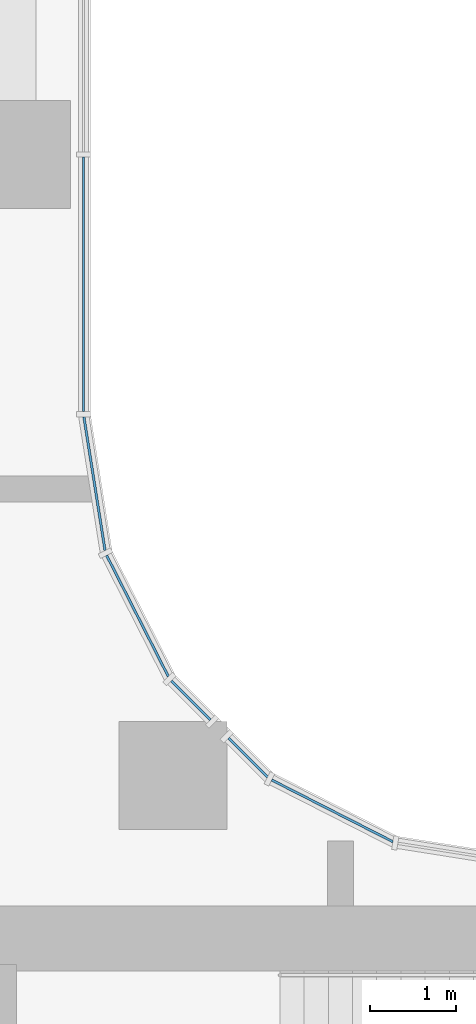
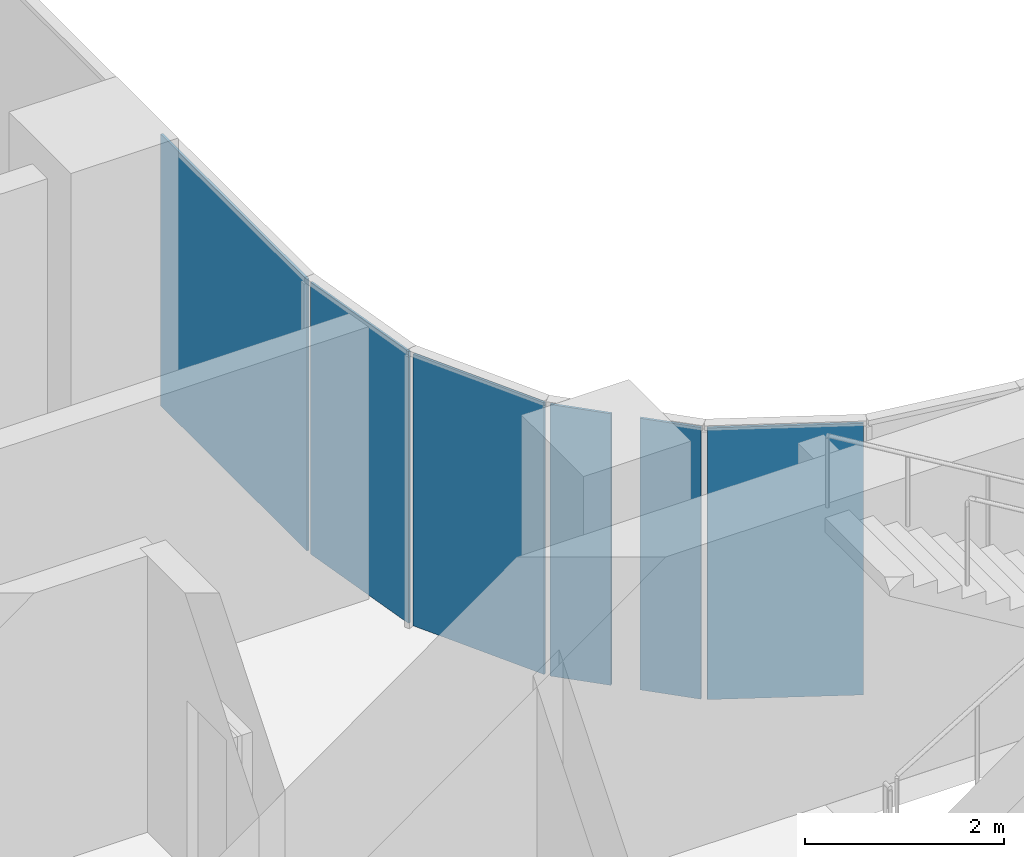
# One storey, part 11 of 35: 6 plates, 3 elements without a shape of their own.
"""IFC4 building model written with IfcOpenShell, lengths in metres."""

from ifc_helpers import new_model, si_unit, direction, frame, origin, origin_2d, place, context, subcontext, project, spatial, rectangle, extrude, material, layer, layer_set, type_object, element, aggregate, save


model = new_model("IFC4")

# Units and contexts
model_context = context("Model", 3, precision=1e-05, world=origin(), true_north=direction((0.0, 1.0)))
body_context = subcontext(model_context, "Body", "Model", "MODEL_VIEW")
ifc_project = project(units=[si_unit("LENGTHUNIT", "METRE"), si_unit("AREAUNIT", "SQUARE_METRE"), si_unit("VOLUMEUNIT", "CUBIC_METRE"), si_unit("PLANEANGLEUNIT", "RADIAN"), si_unit("MASSUNIT", "GRAM", prefix="KILO")], contexts=[model_context])

# Site, building, storey
site_placement = place(None, origin())
site = spatial("IfcSite", under=ifc_project, at=site_placement, CompositionType="ELEMENT")
building_placement = place(site_placement, origin())
building = spatial("IfcBuilding", under=site, at=building_placement, Name="Ogive Portal Towers", CompositionType="ELEMENT")
storey_placement = place(building_placement, frame((0.0, 0.0, 94.5)))
storey = spatial("IfcBuildingStorey", under=building, at=storey_placement, Name="L22", CompositionType="ELEMENT", Elevation=94.5)

# Curtain wall, plate
ifc_material = material(Name="Glass, clear low-iron insulated glazing", Category="glass")
curtain_wall_type = type_object("IfcCurtainWallType", Name="CW FRONT RIBBON 4500", PredefinedType="NOTDEFINED", material=ifc_material)
curtain_wall_1_placement = place(storey_placement, origin())
curtain_wall_1 = element("IfcCurtainWall", 1, at=curtain_wall_1_placement, inside=storey, type_object=curtain_wall_type, Name="A:L22:f17:cw0", PredefinedType="NOTDEFINED")
ifc_layer = layer(ifc_material, 0.028076171875)
ifc_layer_set = layer_set([ifc_layer], Name="CW PANEL IGU 28")
plate_type = type_object("IfcPlateType", Name="CW PANEL IGU 28", PredefinedType="CURTAIN_PANEL", material=ifc_layer_set)
plate_1_placement = place(storey_placement, frame((50.27490234375, 46.996826171875, 0.0), z_axis=(0.0, 0.0, 1.0), x_axis=(0.0, 1.0, 0.0)))
plate_1 = element("IfcPlate", 2, at=plate_1_placement, type_object=plate_type, Name="panel", PredefinedType="CURTAIN_PANEL", context=body_context, shape_type="SweptSolid", body=[
    extrude(rectangle(XDim=2.9462890625, YDim=0.028076171875, at=origin_2d()), origin(), (0.0, 0.0, 1.0), 3.340087890625),
])
aggregate(curtain_wall_1, [plate_1])

# Curtain wall, plates
curtain_wall_2_placement = place(storey_placement, origin())
curtain_wall_2 = element("IfcCurtainWall", 3, at=curtain_wall_2_placement, inside=storey, type_object=curtain_wall_type, Name="A:L22:f12:cwa~0", PredefinedType="NOTDEFINED")
plate_2_placement = place(storey_placement, frame((53.15673828125, 40.90087890625, 0.0), z_axis=(0.0, 0.0, 1.0), x_axis=(-0.891006524188, 0.45399049974, 0.0)))
plate_2 = element("IfcPlate", 4, at=plate_2_placement, type_object=plate_type, Name="panel", PredefinedType="CURTAIN_PANEL", context=body_context, shape_type="SweptSolid", body=[
    extrude(rectangle(XDim=1.574951171875, YDim=0.028076171875, at=origin_2d()), origin(), (0.0, 0.0, 1.0), 3.340087890625),
])
plate_3_placement = place(storey_placement, frame((52.181640625, 41.518798828125, 0.0), z_axis=(0.0, 0.0, 1.0), x_axis=(-0.707106781187, 0.707106781187, 0.0)))
plate_3 = element("IfcPlate", 5, at=plate_3_placement, type_object=plate_type, Name="panel", PredefinedType="CURTAIN_PANEL", context=body_context, shape_type="SweptSolid", body=[
    extrude(rectangle(XDim=0.637451171875, YDim=0.028076171875, at=origin_2d()), origin(), (0.0, 0.0, 1.0), 3.340087890625),
])
aggregate(curtain_wall_2, [plate_2, plate_3])

curtain_wall_3_placement = place(storey_placement, origin())
curtain_wall_3 = element("IfcCurtainWall", 6, at=curtain_wall_3_placement, inside=storey, type_object=curtain_wall_type, Name="A:L22:f12:cwa~1", PredefinedType="NOTDEFINED")
plate_4_placement = place(storey_placement, frame((51.518798828125, 42.181640625, 0.0), z_axis=(0.0, 0.0, 1.0), x_axis=(-0.707106781187, 0.707106781187, 0.0)))
plate_4 = element("IfcPlate", 7, at=plate_4_placement, type_object=plate_type, Name="panel", PredefinedType="CURTAIN_PANEL", context=body_context, shape_type="SweptSolid", body=[
    extrude(rectangle(XDim=0.637451171875, YDim=0.028076171875, at=origin_2d()), origin(), (0.0, 0.0, 1.0), 3.340087890625),
])
plate_5_placement = place(storey_placement, frame((50.90087890625, 43.15673828125, 0.0), z_axis=(0.0, 0.0, 1.0), x_axis=(-0.45399049974, 0.891006524188, 0.0)))
plate_5 = element("IfcPlate", 8, at=plate_5_placement, type_object=plate_type, Name="panel", PredefinedType="CURTAIN_PANEL", context=body_context, shape_type="SweptSolid", body=[
    extrude(rectangle(XDim=1.574951171875, YDim=0.028076171875, at=origin_2d()), origin(), (0.0, 0.0, 1.0), 3.340087890625),
])
plate_6_placement = place(storey_placement, frame((50.40234375, 44.689453125, 0.0), z_axis=(0.0, 0.0, 1.0), x_axis=(-0.15643446504, 0.987688340595, 0.0)))
plate_6 = element("IfcPlate", 9, at=plate_6_placement, type_object=plate_type, Name="panel", PredefinedType="CURTAIN_PANEL", context=body_context, shape_type="SweptSolid", body=[
    extrude(rectangle(XDim=1.568603515625, YDim=0.028076171875, at=origin_2d()), origin(), (0.0, 0.0, 1.0), 3.340087890625),
])
aggregate(curtain_wall_3, [plate_4, plate_5, plate_6])

save(model, "model.ifc")
